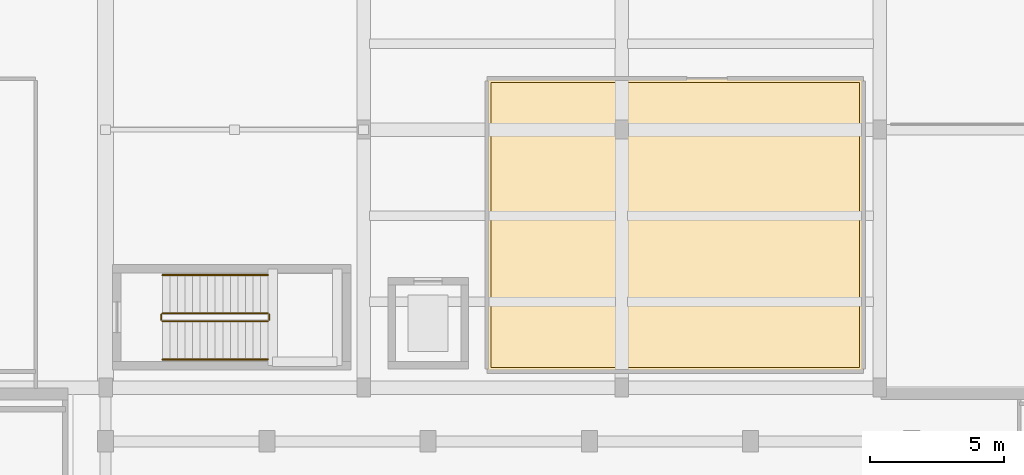
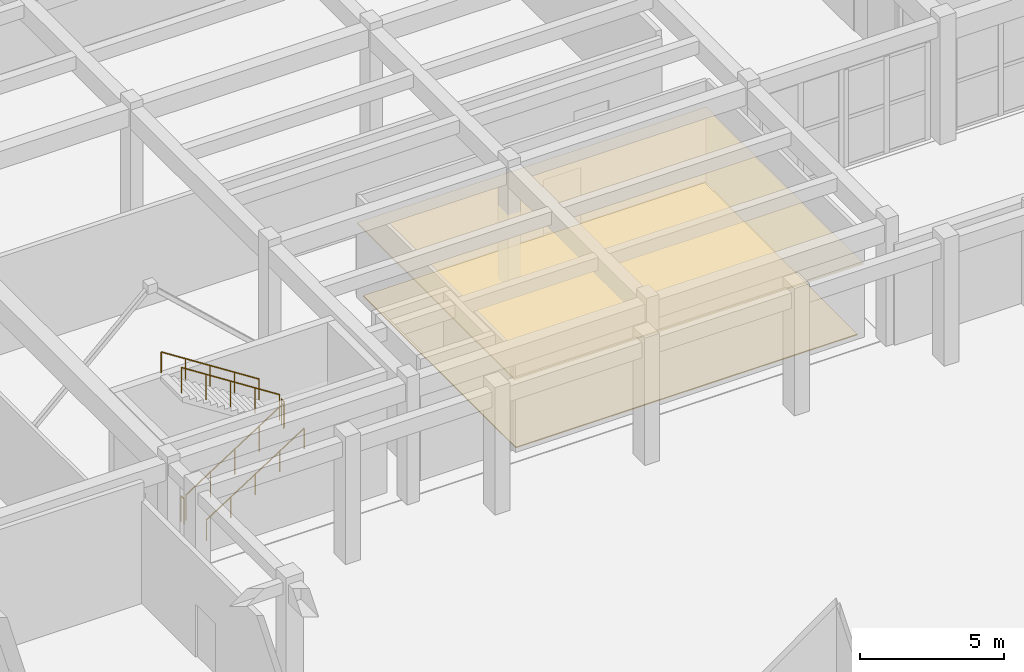
# One storey, part 85 of 98: 6 railings, 2 coverings.
"""IFC4 building model written with IfcOpenShell, lengths in metres."""

from ifc_helpers import new_model, si_unit, direction, frame, origin, origin_2d, place, context, subcontext, project, spatial, polyline, circle, outline, extrude, material, layer, layer_set, type_object, element, save


model = new_model("IFC4")

# Units and contexts
model_context = context("Model", 3, precision=1e-05, world=origin(), true_north=direction((0.0, 1.0)))
body_context = subcontext(model_context, "Body", "Model", "MODEL_VIEW")
ifc_project = project(units=[si_unit("LENGTHUNIT", "METRE"), si_unit("AREAUNIT", "SQUARE_METRE"), si_unit("VOLUMEUNIT", "CUBIC_METRE"), si_unit("PLANEANGLEUNIT", "RADIAN"), si_unit("MASSUNIT", "GRAM", prefix="KILO")], contexts=[model_context])

# Site, building, storey
site_placement = place(None, origin())
site = spatial("IfcSite", under=ifc_project, at=site_placement, CompositionType="ELEMENT")
building_placement = place(site_placement, origin())
building = spatial("IfcBuilding", under=site, at=building_placement, Name="Tarnavel Promenade Courthouse", CompositionType="ELEMENT")
storey_placement = place(building_placement, origin())
storey = spatial("IfcBuildingStorey", under=building, at=storey_placement, Name="L01", CompositionType="ELEMENT", Elevation=0.0)

# Railings
ifc_material_1 = material(Name="Brushed Bronze Tubular Stair Handrail")
railing_type_1 = type_object("IfcRailingType", Name="Brushed Bronze Tubular Stair Handrail (RL-HND-0900)", PredefinedType="HANDRAIL", material=ifc_material_1)
railing_1_placement = place(storey_placement, frame((11.719970703125, 38.25, 0.179931640625)))
element("IfcRailing", 1, at=railing_1_placement, inside=storey, type_object=railing_type_1, Name="L01 ST-05 stair handrail 1", PredefinedType="HANDRAIL", context=body_context, shape_type="SweptSolid", body=[
    extrude(circle(Radius=0.02392578125, at=origin_2d()), frame((0.0, 0.0, 0.8759765625), z_axis=(0.841171666519, 0.0, 0.540768182723), x_axis=(0.0, 1.0, 0.0)), (0.0, 0.0, 1.0), 4.66015625),
    extrude(circle(Radius=0.02099609375, at=origin_2d()), origin(), (0.0, 0.0, 1.0), 0.851806640625),
    extrude(circle(Radius=0.02099609375, at=origin_2d()), frame((0.97998046875, 0.0, 0.6298828125)), (0.0, 0.0, 1.0), 0.851806640625),
    extrude(circle(Radius=0.02099609375, at=origin_2d()), frame((1.9599609375, 0.0, 1.260009765625)), (0.0, 0.0, 1.0), 0.851806640625),
    extrude(circle(Radius=0.02099609375, at=origin_2d()), frame((2.93994140625, 0.0, 1.89013671875)), (0.0, 0.0, 1.0), 0.851806640625),
    extrude(circle(Radius=0.02099609375, at=origin_2d()), frame((3.919921875, 0.0, 2.52001953125)), (0.0, 0.0, 1.0), 0.851806640625),
])
railing_2_placement = place(storey_placement, frame((15.639892578125, 41.389892578125, 2.8798828125)))
element("IfcRailing", 2, at=railing_2_placement, inside=storey, type_object=railing_type_1, Name="L01 ST-05 stair handrail 2", PredefinedType="HANDRAIL", context=body_context, shape_type="SweptSolid", body=[
    extrude(circle(Radius=0.02392578125, at=origin_2d()), frame((0.0, 0.0, 0.8759765625), z_axis=(-0.841171666519, 0.0, 0.540768182723), x_axis=(0.0, -1.0, 0.0)), (0.0, 0.0, 1.0), 4.66015625),
    extrude(circle(Radius=0.02099609375, at=origin_2d()), origin(), (0.0, 0.0, 1.0), 0.851806640625),
    extrude(circle(Radius=0.02099609375, at=origin_2d()), frame((-0.97998046875, 0.0, 0.6298828125)), (0.0, 0.0, 1.0), 0.851806640625),
    extrude(circle(Radius=0.02099609375, at=origin_2d()), frame((-1.9599609375, 0.0, 1.260009765625)), (0.0, 0.0, 1.0), 0.851806640625),
    extrude(circle(Radius=0.02099609375, at=origin_2d()), frame((-2.93994140625, 0.0, 1.89013671875)), (0.0, 0.0, 1.0), 0.851806640625),
    extrude(circle(Radius=0.02099609375, at=origin_2d()), frame((-3.919921875, 0.0, 2.52001953125)), (0.0, 0.0, 1.0), 0.851806640625),
])

# Covering
ifc_material_2 = material(Name="Honed Khoriatis Marble and Terrazzo Civic Flooring", Category="masonry")
ifc_layer_1 = layer(ifc_material_2, 0.0400390625)
ifc_layer_set_1 = layer_set([ifc_layer_1], Name="Honed Khoriatis Marble and Terrazzo Civic Flooring")
covering_type_1 = type_object("IfcCoveringType", Name="Honed Khoriatis Marble and Terrazzo Civic Flooring (COV-FLR-TRZ-40)", PredefinedType="FLOORING", material=ifc_layer_set_1)
covering_1_placement = place(storey_placement, origin())
element("IfcCovering", 3, at=covering_1_placement, inside=storey, type_object=covering_type_1, Name="L01 Law Library Circulation Desk and Catalogue Room Architectural Flooring 0003", PredefinedType="FLOORING", context=body_context, shape_type="SweptSolid", body=[
    extrude(outline(polyline([(23.949951171875, 37.949951171875), (37.64990234375, 37.949951171875), (37.64990234375, 48.550048828125), (23.949951171875, 48.550048828125), (23.949951171875, 37.949951171875)])), origin(), (0.0, 0.0, 1.0), 0.0400390625),
])

# Railings
ifc_material_3 = material(Name="Painted Architectural Steel Core Stair Guardrail", Category="steel")
railing_type_2 = type_object("IfcRailingType", Name="Painted Architectural Steel Core Stair Guardrail (RL-GRD-1100)", PredefinedType="GUARDRAIL", material=ifc_material_3)
railing_3_placement = place(storey_placement, frame((11.719970703125, 39.669921875, 0.179931640625)))
element("IfcRailing", 4, at=railing_3_placement, inside=storey, type_object=railing_type_2, Name="L01 ST-05 stair guard 1", PredefinedType="GUARDRAIL", context=body_context, shape_type="SweptSolid", body=[
    extrude(circle(Radius=0.02392578125, at=origin_2d()), frame((0.0, 0.0, 1.076171875), z_axis=(0.841171666519, 0.0, 0.540768182723), x_axis=(0.0, 1.0, 0.0)), (0.0, 0.0, 1.0), 4.66015625),
    extrude(circle(Radius=0.02099609375, at=origin_2d()), origin(), (0.0, 0.0, 1.0), 1.052001953125),
    extrude(circle(Radius=0.02099609375, at=origin_2d()), frame((0.97998046875, 0.0, 0.6298828125)), (0.0, 0.0, 1.0), 1.052001953125),
    extrude(circle(Radius=0.02099609375, at=origin_2d()), frame((1.9599609375, 0.0, 1.260009765625)), (0.0, 0.0, 1.0), 1.052001953125),
    extrude(circle(Radius=0.02099609375, at=origin_2d()), frame((2.93994140625, 0.0, 1.89013671875)), (0.0, 0.0, 1.0), 1.052001953125),
    extrude(circle(Radius=0.02099609375, at=origin_2d()), frame((3.919921875, 0.0, 2.52001953125)), (0.0, 0.0, 1.0), 1.052001953125),
])
railing_4_placement = place(storey_placement, frame((15.68994140625, 39.719970703125, 2.699951171875)))
element("IfcRailing", 5, at=railing_4_placement, inside=storey, type_object=railing_type_2, Name="L01 ST-05 stair guard 2", PredefinedType="GUARDRAIL", context=body_context, shape_type="SweptSolid", body=[
    extrude(circle(Radius=0.02392578125, at=origin_2d()), frame((0.0, 0.0, 1.076171875), z_axis=(0.0, 1.0, 0.0), x_axis=(-1.0, 0.0, 0.0)), (0.0, 0.0, 1.0), 0.199951171875),
    extrude(circle(Radius=0.02099609375, at=origin_2d()), origin(), (0.0, 0.0, 1.0), 1.052001953125),
    extrude(circle(Radius=0.02099609375, at=origin_2d()), frame((0.0, 0.199951171875, 0.0)), (0.0, 0.0, 1.0), 1.052001953125),
])
railing_5_placement = place(storey_placement, frame((15.639892578125, 39.969970703125, 2.8798828125)))
element("IfcRailing", 6, at=railing_5_placement, inside=storey, type_object=railing_type_2, Name="L01 ST-05 stair guard 3", PredefinedType="GUARDRAIL", context=body_context, shape_type="SweptSolid", body=[
    extrude(circle(Radius=0.02392578125, at=origin_2d()), frame((0.0, 0.0, 1.076171875), z_axis=(-0.841171666519, 0.0, 0.540768182723), x_axis=(0.0, -1.0, 0.0)), (0.0, 0.0, 1.0), 4.66015625),
    extrude(circle(Radius=0.02099609375, at=origin_2d()), origin(), (0.0, 0.0, 1.0), 1.052001953125),
    extrude(circle(Radius=0.02099609375, at=origin_2d()), frame((-0.97998046875, 0.0, 0.6298828125)), (0.0, 0.0, 1.0), 1.052001953125),
    extrude(circle(Radius=0.02099609375, at=origin_2d()), frame((-1.9599609375, 0.0, 1.260009765625)), (0.0, 0.0, 1.0), 1.052001953125),
    extrude(circle(Radius=0.02099609375, at=origin_2d()), frame((-2.93994140625, 0.0, 1.89013671875)), (0.0, 0.0, 1.0), 1.052001953125),
    extrude(circle(Radius=0.02099609375, at=origin_2d()), frame((-3.919921875, 0.0, 2.52001953125)), (0.0, 0.0, 1.0), 1.052001953125),
])
railing_6_placement = place(storey_placement, frame((11.669921875, 39.719970703125, 0.0)))
element("IfcRailing", 7, at=railing_6_placement, inside=storey, type_object=railing_type_2, Name="L01 ST-05 stair guard 4", PredefinedType="GUARDRAIL", context=body_context, shape_type="SweptSolid", body=[
    extrude(circle(Radius=0.02392578125, at=origin_2d()), frame((0.0, 0.0, 1.076171875), z_axis=(0.0, 1.0, 0.0), x_axis=(-1.0, 0.0, 0.0)), (0.0, 0.0, 1.0), 0.199951171875),
    extrude(circle(Radius=0.02099609375, at=origin_2d()), origin(), (0.0, 0.0, 1.0), 1.052001953125),
    extrude(circle(Radius=0.02099609375, at=origin_2d()), frame((0.0, 0.199951171875, 0.0)), (0.0, 0.0, 1.0), 1.052001953125),
])

# Covering
ifc_material_4 = material(Name="Slatted Acoustic White Oak Baffle Ceiling")
ifc_layer_2 = layer(ifc_material_4, 0.06494140625)
ifc_layer_set_2 = layer_set([ifc_layer_2], Name="Slatted Acoustic White Oak Baffle Ceiling")
covering_type_2 = type_object("IfcCoveringType", Name="Slatted Acoustic White Oak Baffle Ceiling (COV-CLG-OAK-65)", PredefinedType="CEILING", material=ifc_layer_set_2)
covering_2_placement = place(storey_placement, frame((0.0, 0.0, 3.034912109375)))
element("IfcCovering", 8, at=covering_2_placement, inside=storey, type_object=covering_type_2, Name="L01 Law Library Circulation Desk and Catalogue Room Acoustic Ceiling 0003", PredefinedType="CEILING", context=body_context, shape_type="SweptSolid", body=[
    extrude(outline(polyline([(23.800048828125, 37.800048828125), (37.800048828125, 37.800048828125), (37.800048828125, 48.699951171875), (23.800048828125, 48.699951171875), (23.800048828125, 37.800048828125)])), origin(), (0.0, 0.0, 1.0), 0.065185546875),
])

save(model, "model.ifc")
